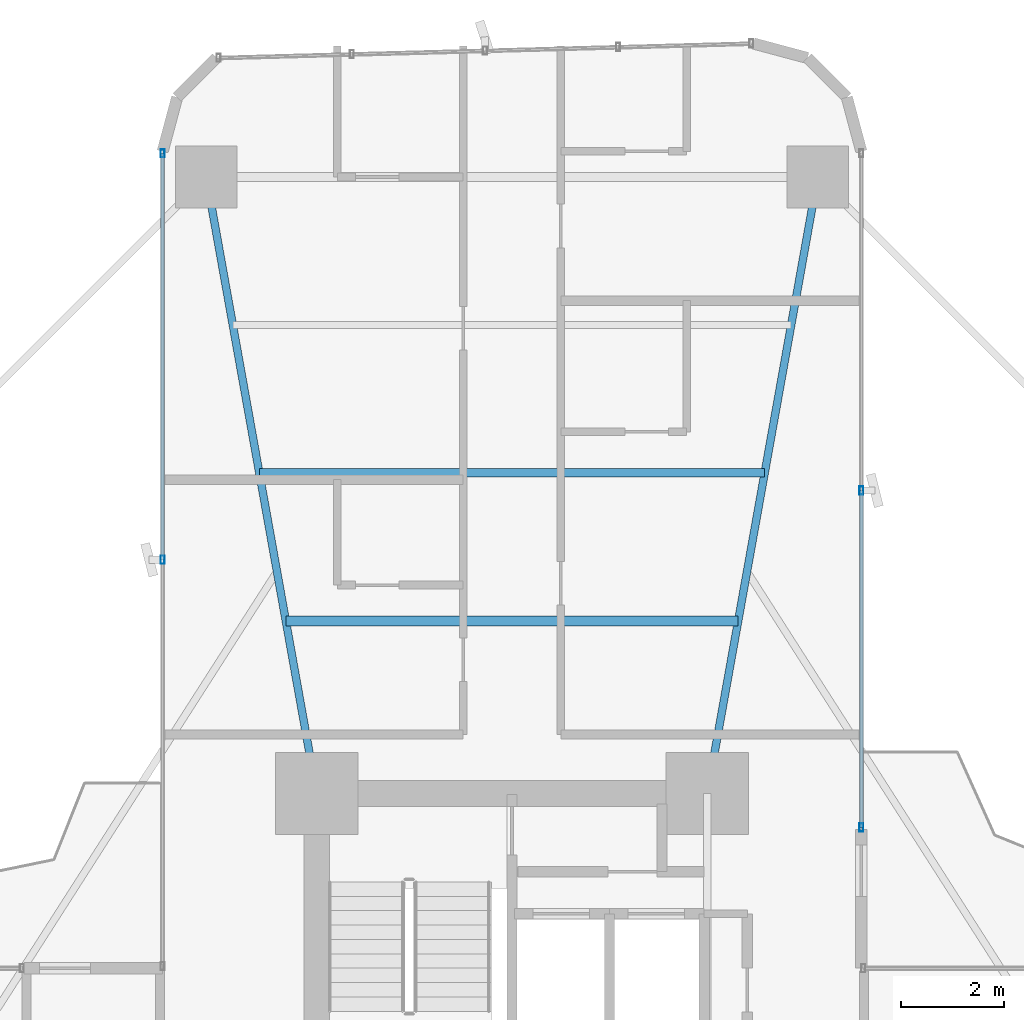
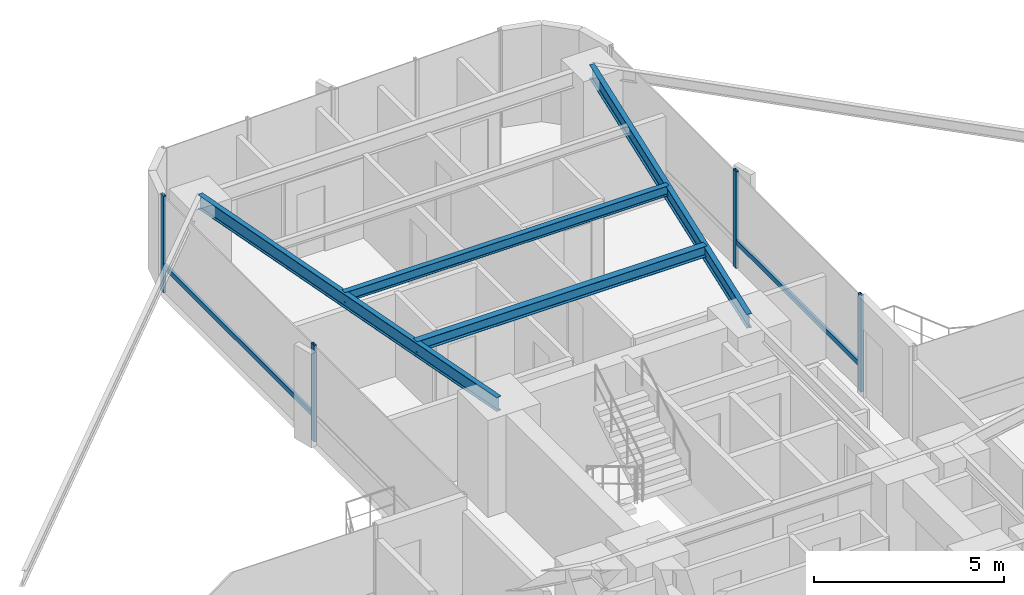
# One storey, part 18 of 26: 6 members, 4 beams, 2 elements without a shape of their own.
"""IFC4 building model written with IfcOpenShell, lengths in metres."""

from ifc_helpers import new_model, si_unit, direction, frame, origin, origin_2d, place, context, subcontext, project, spatial, hollow_rectangle, i_section, extrude, source, transform, mapped, material, material_profile, profile_set, type_object, element, aggregate, save


model = new_model("IFC4")

# Units and contexts
model_context = context("Model", 3, precision=1e-05, world=origin(), true_north=direction((0.0, 1.0)))
body_context = subcontext(model_context, "Body", "Model", "MODEL_VIEW")
ifc_project = project(units=[si_unit("LENGTHUNIT", "METRE"), si_unit("AREAUNIT", "SQUARE_METRE"), si_unit("VOLUMEUNIT", "CUBIC_METRE"), si_unit("PLANEANGLEUNIT", "RADIAN"), si_unit("MASSUNIT", "GRAM", prefix="KILO")], contexts=[model_context])

# Site, building, storey
site_placement = place(None, origin())
site = spatial("IfcSite", under=ifc_project, at=site_placement, CompositionType="ELEMENT")
building_placement = place(site_placement, origin())
building = spatial("IfcBuilding", under=site, at=building_placement, Name="Sahyath Konkavel Grand Hotel", CompositionType="ELEMENT")
storey_placement = place(building_placement, frame((0.0, 0.0, 51.050048828125)))
storey = spatial("IfcBuildingStorey", under=building, at=storey_placement, Name="L13", CompositionType="ELEMENT", Elevation=51.050048828125)

# Beams
ifc_material_1 = material(Name="Steel E350", Category="steel")
ifc_material_profile_1 = material_profile(ifc_material_1, i_section(OverallWidth=0.14990234375, OverallDepth=0.449951171875, WebThickness=0.009521484375, FlangeThickness=0.017333984375, FilletRadius=0.014892578125, at=origin_2d()), Name="ISMB 450")
ifc_profile_set_1 = profile_set([ifc_material_profile_1], Name="Steel E350")
beam_type_1 = type_object("IfcBeamType", Name="BM-ISMB450", PredefinedType="BEAM", material=ifc_profile_set_1)
shared_shape_1 = source(origin(), body_context, "Body", "SweptSolid", [
    extrude(i_section(OverallWidth=0.14990234375, OverallDepth=0.449951171875, WebThickness=0.009521484375, FlangeThickness=0.017333984375, FilletRadius=0.014892578125, at=origin_2d()), origin(), (0.0, 0.0, 1.0), 12.191162109375),
])
for number, where, z_axis, x_axis, name in (
    (1, (3.800048828125, 10.199951171875, 2.885009765625), (0.176350650305, 0.984327409014, 0.0), (-0.984327409014, 0.176350650305, 0.0), "L13 Cruciform Radial Girder NA"),
    (2, (-3.800048828125, 10.199951171875, 2.885009765625), (-0.176350650305, 0.984327409014, 0.0), (-0.984327409014, -0.176350650305, 0.0), "L13 Cruciform Radial Girder NB"),
):
    element("IfcBeam", number, at=place(storey_placement, frame(where, z_axis=z_axis, x_axis=x_axis)), inside=storey, type_object=beam_type_1, Name=name, PredefinedType="BEAM", context=body_context, shape_type="MappedRepresentation", body=[
        mapped(shared_shape_1, transform((0.0, 0.0, 0.0), scale=1.0)),
    ])
ifc_material_profile_2 = material_profile(ifc_material_1, i_section(OverallWidth=0.199951171875, OverallDepth=0.35009765625, WebThickness=0.008056640625, FlangeThickness=0.011474609375, FilletRadius=0.013916015625, at=origin_2d()), Name="ISWB 350")
ifc_profile_set_2 = profile_set([ifc_material_profile_2], Name="Steel E350")
beam_type_2 = type_object("IfcBeamType", Name="BM-ISWB350", PredefinedType="BEAM", material=ifc_profile_set_2)
shared_shape_2 = source(origin(), body_context, "Body", "SweptSolid", [
    extrude(i_section(OverallWidth=0.199951171875, OverallDepth=0.35009765625, WebThickness=0.008056640625, FlangeThickness=0.011474609375, FilletRadius=0.013916015625, at=origin_2d()), origin(), (0.0, 0.0, 1.0), 8.80419921875),
])
beam_1_placement = place(storey_placement, frame((4.402099609375, 13.56005859375, 2.93505859375), z_axis=(-1.0, 0.0, 0.0), x_axis=(0.0, -1.0, 0.0)))
element("IfcBeam", 3, at=beam_1_placement, inside=storey, type_object=beam_type_2, Name="L13 Secondary Floor Beam N-1", PredefinedType="BEAM", context=body_context, shape_type="MappedRepresentation", body=[
    mapped(shared_shape_2, transform((0.0, 0.0, 0.0), scale=1.0)),
])
ifc_material_profile_3 = material_profile(ifc_material_1, i_section(OverallWidth=0.1650390625, OverallDepth=0.324951171875, WebThickness=0.007080078125, FlangeThickness=0.009765625, FilletRadius=0.014892578125, at=origin_2d()), Name="ISLB 325")
ifc_profile_set_3 = profile_set([ifc_material_profile_3], Name="Steel E350")
beam_type_3 = type_object("IfcBeamType", Name="BM-ISLB325", PredefinedType="BEAM", material=ifc_profile_set_3)
shared_shape_3 = source(origin(), body_context, "Body", "SweptSolid", [
    extrude(i_section(OverallWidth=0.1650390625, OverallDepth=0.324951171875, WebThickness=0.007080078125, FlangeThickness=0.009765625, FilletRadius=0.014892578125, at=origin_2d()), origin(), (0.0, 0.0, 1.0), 9.8359375),
])
beam_2_placement = place(storey_placement, frame((4.91796875, 16.43994140625, 2.947509765625), z_axis=(-1.0, 0.0, 0.0), x_axis=(0.0, -1.0, 0.0)))
element("IfcBeam", 4, at=beam_2_placement, inside=storey, type_object=beam_type_3, Name="L13 Secondary Floor Beam N-2", PredefinedType="BEAM", context=body_context, shape_type="MappedRepresentation", body=[
    mapped(shared_shape_3, transform((0.0, 0.0, 0.0), scale=1.0)),
])

# Curtain wall, members
ifc_material_2 = material(Name="Anodised Bronze Aluminium & Low-E Glazing", Category="aluminium")
curtain_wall_type = type_object("IfcCurtainWallType", Name="CW-ZONE1", PredefinedType="NOTDEFINED", material=ifc_material_2)
curtain_wall_1_placement = place(storey_placement, origin())
curtain_wall_1 = element("IfcCurtainWall", 5, at=curtain_wall_1_placement, inside=storey, type_object=curtain_wall_type, Name="L13 Unitised Curtain Wall F8", PredefinedType="NOTDEFINED")
ifc_material_3 = material(Name="Anodised Bronze Aluminium", Category="aluminium")
ifc_material_profile_4 = material_profile(ifc_material_3, hollow_rectangle(XDim=0.080078125, YDim=0.159912109375, WallThickness=0.006103515625, at=origin_2d()), Name="RHS 160x80x6")
ifc_profile_set_4 = profile_set([ifc_material_profile_4], Name="Anodised Bronze Aluminium")
member_type_1 = type_object("IfcMemberType", Name="CW-MUL-160", PredefinedType="MULLION", material=ifc_profile_set_4)
shared_shape_4 = source(origin(), body_context, "Body", "SweptSolid", [
    extrude(hollow_rectangle(XDim=0.080078125, YDim=0.159912109375, WallThickness=0.006103515625, at=origin_2d()), origin(), (0.0, 0.0, 1.0), 3.10986328125),
])
member_1_placement = place(storey_placement, frame((6.800048828125, 9.5400390625, 0.0), z_axis=(0.0, 0.0, 1.0), x_axis=(1.0, 0.0, 0.0)))
member_1 = element("IfcMember", 6, at=member_1_placement, type_object=member_type_1, Name="L13 Curtain Wall Mullion F8-0", PredefinedType="MULLION", context=body_context, shape_type="MappedRepresentation", body=[
    mapped(shared_shape_4, transform((0.0, 0.0, 0.0), scale=1.0)),
])
member_2_placement = place(storey_placement, frame((6.800048828125, 16.10009765625, 0.0), z_axis=(0.0, 0.0, 1.0), x_axis=(1.0, 0.0, 0.0)))
member_2 = element("IfcMember", 7, at=member_2_placement, type_object=member_type_1, Name="L13 Curtain Wall Mullion F8-1", PredefinedType="MULLION", context=body_context, shape_type="MappedRepresentation", body=[
    mapped(shared_shape_4, transform((0.0, 0.0, 0.0), scale=1.0)),
])

curtain_wall_2_placement = place(storey_placement, origin())
curtain_wall_2 = element("IfcCurtainWall", 8, at=curtain_wall_2_placement, inside=storey, type_object=curtain_wall_type, Name="L13 Unitised Curtain Wall F15", PredefinedType="NOTDEFINED")
member_3_placement = place(storey_placement, frame((-6.800048828125, 22.659912109375, 0.0), z_axis=(0.0, 0.0, 1.0), x_axis=(1.0, 0.0, 0.0)))
member_3 = element("IfcMember", 9, at=member_3_placement, type_object=member_type_1, Name="L13 Curtain Wall Mullion F15-0", PredefinedType="MULLION", context=body_context, shape_type="MappedRepresentation", body=[
    mapped(shared_shape_4, transform((0.0, 0.0, 0.0), scale=1.0)),
])
member_4_placement = place(storey_placement, frame((-6.800048828125, 14.75, 0.0), z_axis=(0.0, 0.0, 1.0), x_axis=(1.0, 0.0, 0.0)))
member_4 = element("IfcMember", 10, at=member_4_placement, type_object=member_type_1, Name="L13 Curtain Wall Mullion F15-1", PredefinedType="MULLION", context=body_context, shape_type="MappedRepresentation", body=[
    mapped(shared_shape_4, transform((0.0, 0.0, 0.0), scale=1.0)),
])
ifc_material_profile_5 = material_profile(ifc_material_3, hollow_rectangle(XDim=0.080078125, YDim=0.159912109375, WallThickness=0.006103515625, at=origin_2d()), Name="RHS 160x80x6")
ifc_profile_set_5 = profile_set([ifc_material_profile_5], Name="Anodised Bronze Aluminium")
member_type_2 = type_object("IfcMemberType", Name="CW-TRN-160", PredefinedType="USERDEFINED", material=ifc_profile_set_5)
shared_shape_5 = source(origin(), body_context, "Body", "SweptSolid", [
    extrude(hollow_rectangle(XDim=0.080078125, YDim=0.159912109375, WallThickness=0.006103515625, at=origin_2d()), origin(), (0.0, 0.0, 1.0), 7.909912109375),
])
member_5_placement = place(storey_placement, frame((-6.800048828125, 22.659912109375, 0.849853515625), z_axis=(0.0, -1.0, 0.0), x_axis=(1.0, 0.0, 0.0)))
member_5 = element("IfcMember", 11, at=member_5_placement, type_object=member_type_2, Name="L13 Curtain Wall Transom F15-0-spandrel", ObjectType="TRANSOM", PredefinedType="USERDEFINED", context=body_context, shape_type="MappedRepresentation", body=[
    mapped(shared_shape_5, transform((0.0, 0.0, 0.0), scale=1.0)),
])
aggregate(curtain_wall_2, [member_3, member_4, member_5])

# Member
shared_shape_6 = source(origin(), body_context, "Body", "SweptSolid", [
    extrude(hollow_rectangle(XDim=0.080078125, YDim=0.159912109375, WallThickness=0.006103515625, at=origin_2d()), origin(), (0.0, 0.0, 1.0), 6.56005859375),
])
member_6_placement = place(storey_placement, frame((6.800048828125, 9.5400390625, 0.849853515625), z_axis=(0.0, 1.0, 0.0), x_axis=(-1.0, 0.0, 0.0)))
member_6 = element("IfcMember", 12, at=member_6_placement, type_object=member_type_2, Name="L13 Curtain Wall Transom F8-0-spandrel", ObjectType="TRANSOM", PredefinedType="USERDEFINED", context=body_context, shape_type="MappedRepresentation", body=[
    mapped(shared_shape_6, transform((0.0, 0.0, 0.0), scale=1.0)),
])

aggregate(curtain_wall_1, [member_1, member_2, member_6])

save(model, "model.ifc")
